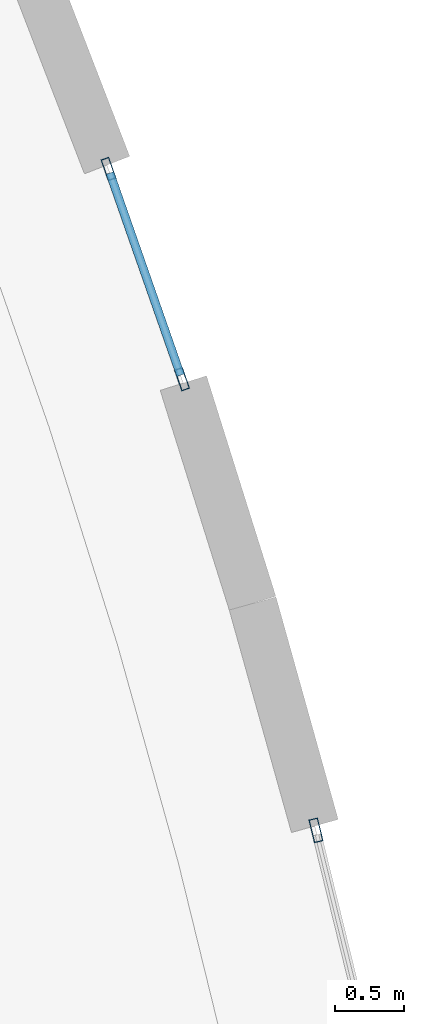
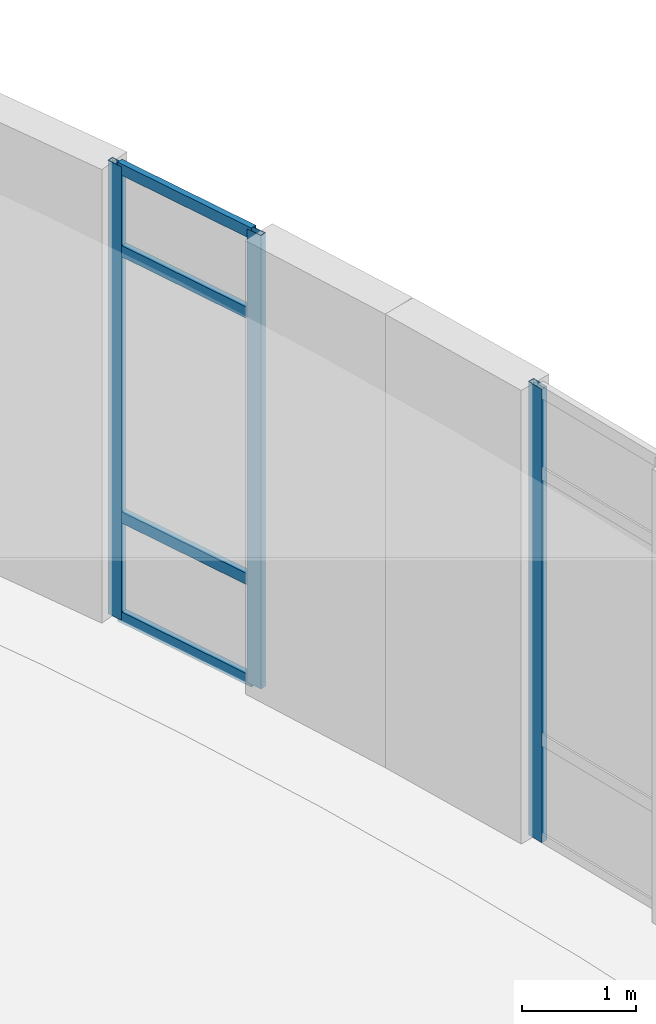
# One storey, part 52 of 104: 7 members, 2 elements without a shape of their own.
"""IFC4 building model written with IfcOpenShell, lengths in metres."""

from ifc_helpers import new_model, si_unit, direction, frame, origin, origin_2d, place, context, subcontext, project, spatial, hollow_rectangle, extrude, material, layer, layer_set, material_profile, profile_set, type_object, element, aggregate, save


model = new_model("IFC4")

# Units and contexts
model_context = context("Model", 3, precision=1e-05, world=origin(), true_north=direction((0.0, 1.0)))
body_context = subcontext(model_context, "Body", "Model", "MODEL_VIEW")
ifc_project = project(units=[si_unit("LENGTHUNIT", "METRE"), si_unit("AREAUNIT", "SQUARE_METRE"), si_unit("VOLUMEUNIT", "CUBIC_METRE"), si_unit("PLANEANGLEUNIT", "RADIAN"), si_unit("MASSUNIT", "GRAM", prefix="KILO"), si_unit("THERMODYNAMICTEMPERATUREUNIT", "KELVIN")], contexts=[model_context])

# Site, building, storey
site_placement = place(None, origin())
site = spatial("IfcSite", under=ifc_project, at=site_placement, CompositionType="ELEMENT")
building_placement = place(site_placement, origin())
building = spatial("IfcBuilding", under=site, at=building_placement, Name="Lustrewick Department Store", CompositionType="ELEMENT")
storey_placement = place(building_placement, frame((0.0, 0.0, 11.39990234375)))
storey = spatial("IfcBuildingStorey", under=building, at=storey_placement, Name="L03", CompositionType="ELEMENT", Elevation=11.39990234375)

# Curtain wall, member
ifc_material = material(Name="Thermally broken aluminium 6063-T5", Category="aluminium")
ifc_layer_1 = layer(ifc_material, 0.169921875, Name="Thermally broken aluminium 6063-T5")
ifc_layer_set_1 = layer_set([ifc_layer_1], Name="Thermally broken aluminium 6063-T5")
curtain_wall_type_1 = type_object("IfcCurtainWallType", Name="CW12", PredefinedType="NOTDEFINED", material=ifc_layer_set_1)
curtain_wall_1_placement = place(storey_placement, origin())
curtain_wall_1 = element("IfcCurtainWall", 1, at=curtain_wall_1_placement, inside=storey, type_object=curtain_wall_type_1, Name="L03 V4 Curtain Wall CW12", PredefinedType="NOTDEFINED")
ifc_material_profile_1 = material_profile(ifc_material, hollow_rectangle(XDim=0.06494140625, YDim=0.169921875, WallThickness=0.00390625, at=origin_2d()), Name="ALU-M 65x170x4")
ifc_profile_set_1 = profile_set([ifc_material_profile_1], Name="Thermally broken aluminium 6063-T5")
member_type_1 = type_object("IfcMemberType", Name="CW12-M1", PredefinedType="MULLION", material=ifc_profile_set_1)
member_1_placement = place(storey_placement, frame((166.30712890625, 72.758544921875, 0.0), z_axis=(0.0, 0.0, 1.0), x_axis=(-0.971223151595, -0.238171345478, 0.0)))
member_1 = element("IfcMember", 2, at=member_1_placement, type_object=member_type_1, Name="CW12 mullion 2", PredefinedType="MULLION", context=body_context, shape_type="SweptSolid", body=[
    extrude(hollow_rectangle(XDim=0.06494140625, YDim=0.169921875, WallThickness=0.00390625, at=origin_2d()), origin(), (0.0, 0.0, 1.0), 4.84521484375),
])
aggregate(curtain_wall_1, [member_1])

# Curtain wall, members
ifc_layer_2 = layer(ifc_material, 0.159912109375, Name="Thermally broken aluminium 6063-T5")
ifc_layer_set_2 = layer_set([ifc_layer_2], Name="Thermally broken aluminium 6063-T5")
curtain_wall_type_2 = type_object("IfcCurtainWallType", Name="CW13", PredefinedType="NOTDEFINED", material=ifc_layer_set_2)
curtain_wall_2_placement = place(storey_placement, origin())
curtain_wall_2 = element("IfcCurtainWall", 3, at=curtain_wall_2_placement, inside=storey, type_object=curtain_wall_type_2, Name="L03 V4 Curtain Wall CW13", PredefinedType="NOTDEFINED")
ifc_material_profile_2 = material_profile(ifc_material, hollow_rectangle(XDim=0.06005859375, YDim=0.159912109375, WallThickness=0.00390625, at=origin_2d()), Name="ALU-M 60x160x4")
ifc_profile_set_2 = profile_set([ifc_material_profile_2], Name="Thermally broken aluminium 6063-T5")
member_type_2 = type_object("IfcMemberType", Name="CW13-M1", PredefinedType="MULLION", material=ifc_profile_set_2)
member_2_placement = place(storey_placement, frame((165.341064453125, 76.013916015625, 0.0), z_axis=(0.0, 0.0, 1.0), x_axis=(-0.943893891059, -0.330248879516, 0.0)))
member_2 = element("IfcMember", 4, at=member_2_placement, type_object=member_type_2, Name="CW13 mullion 1", PredefinedType="MULLION", context=body_context, shape_type="SweptSolid", body=[
    extrude(hollow_rectangle(XDim=0.06005859375, YDim=0.159912109375, WallThickness=0.00390625, at=origin_2d()), origin(), (0.0, 0.0, 1.0), 4.84521484375),
])
member_3_placement = place(storey_placement, frame((164.810302734375, 77.53076171875, 0.0), z_axis=(0.0, 0.0, 1.0), x_axis=(-0.943893891059, -0.330248879516, 0.0)))
member_3 = element("IfcMember", 5, at=member_3_placement, type_object=member_type_2, Name="CW13 mullion 2", PredefinedType="MULLION", context=body_context, shape_type="SweptSolid", body=[
    extrude(hollow_rectangle(XDim=0.06005859375, YDim=0.159912109375, WallThickness=0.00390625, at=origin_2d()), origin(), (0.0, 0.0, 1.0), 4.84521484375),
])
ifc_material_profile_3 = material_profile(ifc_material, hollow_rectangle(XDim=0.06005859375, YDim=0.1201171875, WallThickness=0.00341796875, at=origin_2d()), Name="ALU-T 60x120x3.5")
ifc_profile_set_3 = profile_set([ifc_material_profile_3], Name="Thermally broken aluminium 6063-T5")
member_type_3 = type_object("IfcMemberType", Name="CW13-T1", PredefinedType="USERDEFINED", material=ifc_profile_set_3)
member_4_placement = place(storey_placement, frame((165.3310546875, 76.042236328125, 0.030029296875), z_axis=(-0.330160611584, 0.943924769544, 0.0), x_axis=(-0.943924769544, -0.330160611584, 0.0)))
member_4 = element("IfcMember", 6, at=member_4_placement, type_object=member_type_3, Name="CW13 transom 1.1", ObjectType="TRANSOM", PredefinedType="USERDEFINED", context=body_context, shape_type="SweptSolid", body=[
    extrude(hollow_rectangle(XDim=0.06005859375, YDim=0.1201171875, WallThickness=0.00341796875, at=origin_2d()), origin(), (0.0, 0.0, 1.0), 1.546875),
])
member_5_placement = place(storey_placement, frame((165.3310546875, 76.042236328125, 1.10009765625), z_axis=(-0.330160611584, 0.943924769544, 0.0), x_axis=(-0.943924769544, -0.330160611584, 0.0)))
member_5 = element("IfcMember", 7, at=member_5_placement, type_object=member_type_3, Name="CW13 transom 1.2", ObjectType="TRANSOM", PredefinedType="USERDEFINED", context=body_context, shape_type="SweptSolid", body=[
    extrude(hollow_rectangle(XDim=0.06005859375, YDim=0.1201171875, WallThickness=0.00341796875, at=origin_2d()), origin(), (0.0, 0.0, 1.0), 1.546875),
])
member_6_placement = place(storey_placement, frame((165.3310546875, 76.042236328125, 3.945068359375), z_axis=(-0.330160611584, 0.943924769544, 0.0), x_axis=(-0.943924769544, -0.330160611584, 0.0)))
member_6 = element("IfcMember", 8, at=member_6_placement, type_object=member_type_3, Name="CW13 transom 1.3", ObjectType="TRANSOM", PredefinedType="USERDEFINED", context=body_context, shape_type="SweptSolid", body=[
    extrude(hollow_rectangle(XDim=0.06005859375, YDim=0.1201171875, WallThickness=0.00341796875, at=origin_2d()), origin(), (0.0, 0.0, 1.0), 1.546875),
])
member_7_placement = place(storey_placement, frame((165.3310546875, 76.042236328125, 4.815185546875), z_axis=(-0.330160611584, 0.943924769544, 0.0), x_axis=(-0.943924769544, -0.330160611584, 0.0)))
member_7 = element("IfcMember", 9, at=member_7_placement, type_object=member_type_3, Name="CW13 transom 1.4", ObjectType="TRANSOM", PredefinedType="USERDEFINED", context=body_context, shape_type="SweptSolid", body=[
    extrude(hollow_rectangle(XDim=0.06005859375, YDim=0.1201171875, WallThickness=0.00341796875, at=origin_2d()), origin(), (0.0, 0.0, 1.0), 1.546875),
])
aggregate(curtain_wall_2, [member_2, member_3, member_4, member_5, member_6, member_7])

save(model, "model.ifc")
